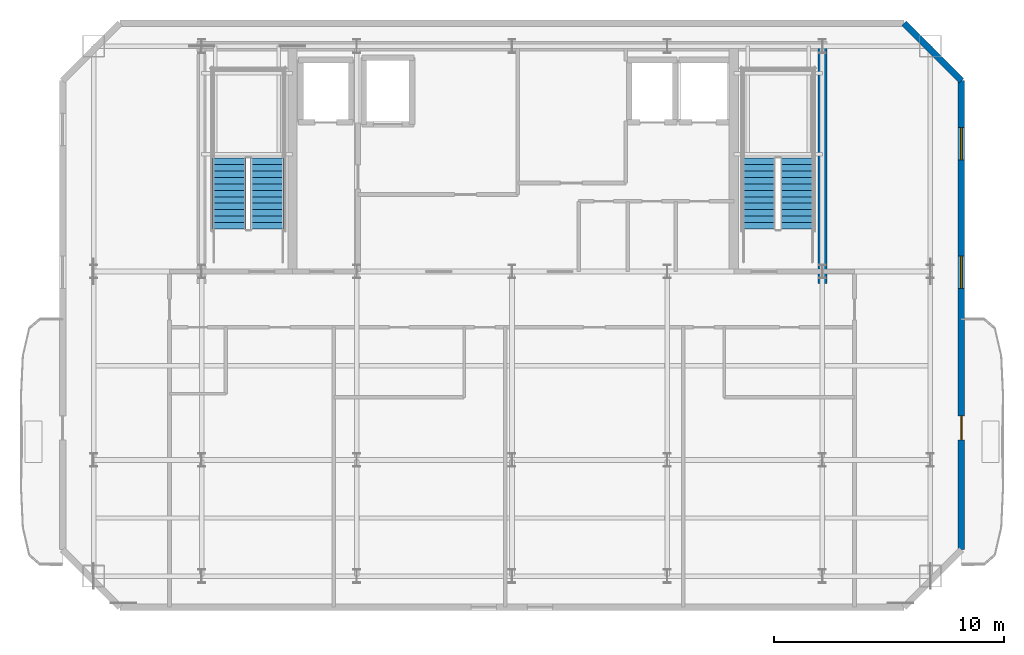
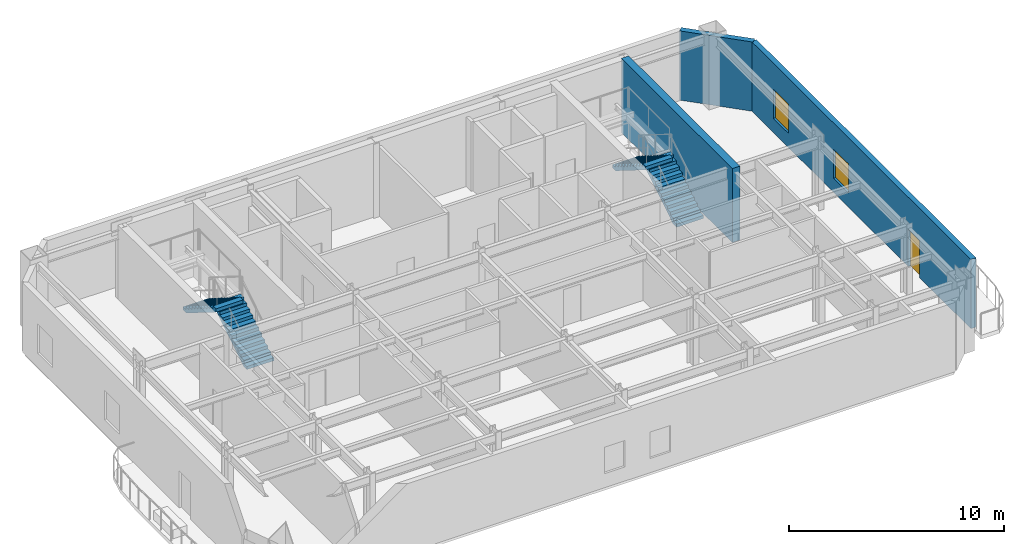
# One storey, part 4 of 6: 4 stair flights, 3 walls, 2 windows, 1 door, 3 openings, 2 elements without a shape of their own.
"""IFC4 building model written with IfcOpenShell, lengths in metres."""

from ifc_helpers import new_model, si_unit, direction, frame, frame_2d, origin, place, context, subcontext, project, spatial, polyline, rectangle, outline, extrude, material, layer, layer_set, type_object, element, fill, aggregate, save


model = new_model("IFC4")

# Units and contexts
model_context = context("Model", 3, precision=1e-05, world=origin(), true_north=direction((0.0, 1.0)))
body_context = subcontext(model_context, "Body", "Model", "MODEL_VIEW")
ifc_project = project(units=[si_unit("LENGTHUNIT", "METRE"), si_unit("AREAUNIT", "SQUARE_METRE"), si_unit("VOLUMEUNIT", "CUBIC_METRE"), si_unit("PLANEANGLEUNIT", "RADIAN"), si_unit("MASSUNIT", "GRAM", prefix="KILO")], contexts=[model_context])

# Site, building, storey
site_placement = place(None, origin())
site = spatial("IfcSite", under=ifc_project, at=site_placement, CompositionType="ELEMENT")
building_placement = place(site_placement, origin())
building = spatial("IfcBuilding", under=site, at=building_placement, Name="Haevon Station Towers", CompositionType="ELEMENT")
storey_placement = place(building_placement, frame((0.0, 0.0, 265.800048828125)))
storey = spatial("IfcBuildingStorey", under=building, at=storey_placement, Name="L74", CompositionType="ELEMENT", Elevation=265.800048828125)

# Walls
ifc_material_1 = material(Name="Concrete C60/75", Category="concrete")
ifc_layer_1 = layer(ifc_material_1, 0.39990234375)
ifc_layer_set_1 = layer_set([ifc_layer_1], Name="Concrete C60/75")
wall_type_1 = type_object("IfcWallType", Name="WL-CR400", PredefinedType="SHEAR", material=ifc_layer_set_1)
wall_1_placement = place(storey_placement, frame((51.0, 37.679931640625, 0.0), z_axis=(0.0, 0.0, 1.0), x_axis=(0.0, 1.0, 0.0)))
element("IfcWall", 1, at=wall_1_placement, inside=storey, type_object=wall_type_1, Name="WL-T1CR-L74-E", PredefinedType="SHEAR", context=body_context, shape_type="SweptSolid", body=[
    extrude(rectangle(XDim=10.320068359375, YDim=0.39990234375, at=frame_2d((5.16015625, 0.0))), origin(), (0.0, 0.0, 1.0), 4.199951171875),
])
ifc_material_2 = material(Name="Precast concrete C45/55", Category="concrete")
ifc_layer_2 = layer(ifc_material_2, 0.280029296875)
ifc_layer_set_2 = layer_set([ifc_layer_2], Name="Precast concrete C45/55")
wall_type_2 = type_object("IfcWallType", Name="WL-EXT-PIER280", PredefinedType="SOLIDWALL", material=ifc_layer_set_2)
wall_2_placement = place(storey_placement, frame((54.550048828125, 49.0, 0.0), z_axis=(0.0, 0.0, 1.0), x_axis=(0.707106781187, -0.707106781187, 0.0)))
element("IfcWall", 2, at=wall_2_placement, inside=storey, type_object=wall_type_2, Name="WL-T1-L74-NEC", PredefinedType="SOLIDWALL", context=body_context, shape_type="SweptSolid", body=[
    extrude(rectangle(XDim=3.53564453125, YDim=0.280029296875, at=frame_2d((1.767822265625, 0.0))), origin(), (0.0, 0.0, 1.0), 3.929931640625),
])

# Wall, openings, door, windows
wall_3_placement = place(storey_placement, frame((57.050048828125, 46.5, 0.0), z_axis=(0.0, 0.0, 1.0), x_axis=(0.0, -1.0, 0.0)))
wall_3 = element("IfcWall", 3, at=wall_3_placement, inside=storey, type_object=wall_type_2, Name="WL-T1-L74-E", PredefinedType="SOLIDWALL", context=body_context, shape_type="SweptSolid", body=[
    extrude(rectangle(XDim=20.39990234375, YDim=0.280029296875, at=frame_2d((10.199951171875, 0.0))), origin(), (0.0, 0.0, 1.0), 3.929931640625),
])
opening_1_placement = place(wall_3_placement, frame((14.574951171875, 0.0, 0.0)))
opening_1 = element("IfcOpeningElement", 4, at=opening_1_placement, cuts=wall_3, Name="Opening DR-T1-SCAL-L74-E", PredefinedType="OPENING", context=body_context, shape_type="SweptSolid", body=[
    extrude(rectangle(XDim=1.050048828125, YDim=2.10009765625, at=frame_2d((0.52490234375, 1.050048828125))), frame((0.0, 0.14990234375, 0.0), z_axis=(0.0, -1.0, 0.0), x_axis=(1.0, 0.0, 0.0)), (0.0, 0.0, 1.0), 0.300048828125),
])
opening_2_placement = place(wall_3_placement, frame((2.04296875, 0.0, 0.800048828125)))
opening_2 = element("IfcOpeningElement", 5, at=opening_2_placement, cuts=wall_3, Name="Opening WN-END140", PredefinedType="OPENING", context=body_context, shape_type="SweptSolid", body=[
    extrude(rectangle(XDim=1.39990234375, YDim=1.64990234375, at=frame_2d((0.699951171875, 0.824951171875))), frame((0.0, 0.14990234375, 0.0), z_axis=(0.0, -1.0, 0.0), x_axis=(1.0, 0.0, 0.0)), (0.0, 0.0, 1.0), 0.300048828125),
])
opening_3_placement = place(wall_3_placement, frame((7.6357421875, 0.0, 0.800048828125)))
opening_3 = element("IfcOpeningElement", 6, at=opening_3_placement, cuts=wall_3, Name="Opening WN-END140", PredefinedType="OPENING", context=body_context, shape_type="SweptSolid", body=[
    extrude(rectangle(XDim=1.39990234375, YDim=1.64990234375, at=frame_2d((0.699951171875, 0.824951171875))), frame((0.0, 0.14990234375, 0.0), z_axis=(0.0, -1.0, 0.0), x_axis=(1.0, 0.0, 0.0)), (0.0, 0.0, 1.0), 0.300048828125),
])
ifc_material_3 = material(Name="Thermally broken anodised aluminium and laminated safety glass", Category="aluminium")
door_type = type_object("IfcDoorType", Name="DR-BALC-1050", OperationType="NOTDEFINED", PredefinedType="DOOR", material=ifc_material_3)
door_placement = place(opening_1_placement, origin())
door = element("IfcDoor", 7, at=door_placement, inside=storey, type_object=door_type, Name="Tower 1 L74 East Scalloped Balcony Door", OperationType="SINGLE_SWING_RIGHT", OverallHeight=2.10009765625, OverallWidth=1.050048828125, PredefinedType="DOOR", context=body_context, shape_type="SweptSolid", body=[
    extrude(rectangle(XDim=1.050048828125, YDim=2.10009765625, at=frame_2d((0.52490234375, 1.050048828125))), frame((0.0, 0.02490234375, 0.0), z_axis=(0.0, -1.0, 0.0), x_axis=(1.0, 0.0, 0.0)), (0.0, 0.0, 1.0), 0.050048828125),
])
fill(opening_1, door)
ifc_material_4 = material(Name="Low-E triple glazing in thermally broken aluminium", Category="aluminium")
window_type = type_object("IfcWindowType", Name="WN-END140", PartitioningType="SINGLE_PANEL", PredefinedType="WINDOW", material=ifc_material_4)
window_1_placement = place(opening_2_placement, origin())
window_1 = element("IfcWindow", 8, at=window_1_placement, inside=storey, type_object=window_type, Name="WN-T1-L74-E01", OverallHeight=1.64990234375, OverallWidth=1.39990234375, PartitioningType="SINGLE_PANEL", PredefinedType="WINDOW", context=body_context, shape_type="SweptSolid", body=[
    extrude(rectangle(XDim=1.39990234375, YDim=1.64990234375, at=frame_2d((0.699951171875, 0.824951171875))), frame((0.0, 0.030029296875, 0.0), z_axis=(0.0, -1.0, 0.0), x_axis=(1.0, 0.0, 0.0)), (0.0, 0.0, 1.0), 0.06005859375),
])
fill(opening_2, window_1)
window_2_placement = place(opening_3_placement, origin())
window_2 = element("IfcWindow", 9, at=window_2_placement, inside=storey, type_object=window_type, Name="WN-T1-L74-E02", OverallHeight=1.64990234375, OverallWidth=1.39990234375, PartitioningType="SINGLE_PANEL", PredefinedType="WINDOW", context=body_context, shape_type="SweptSolid", body=[
    extrude(rectangle(XDim=1.39990234375, YDim=1.64990234375, at=frame_2d((0.699951171875, 0.824951171875))), frame((0.0, 0.030029296875, 0.0), z_axis=(0.0, -1.0, 0.0), x_axis=(1.0, 0.0, 0.0)), (0.0, 0.0, 1.0), 0.06005859375),
])
fill(opening_3, window_2)

# Stair, stair flights
ifc_material_5 = material(Name="Concrete C40/50", Category="concrete")
stair_type = type_object("IfcStairType", Name="STR-DL1450", PredefinedType="USERDEFINED", material=ifc_material_5)
stair_1_placement = place(storey_placement, origin())
stair_1 = element("IfcStair", 10, at=stair_1_placement, inside=storey, type_object=stair_type, Name="L74 Escape Stair ST1", ObjectType="TWO_RETURN_STAIR", PredefinedType="USERDEFINED")
stair_flight_type = type_object("IfcStairFlightType", Name="STF-ST1450", PredefinedType="STRAIGHT", material=ifc_material_5)
stair_flight_1_placement = place(storey_placement, frame((26.85498046875, 40.050048828125, 0.0), z_axis=(0.0, 0.0, 1.0), x_axis=(0.0, 1.0, 0.0)))
stair_flight_1 = element("IfcStairFlight", 11, at=stair_flight_1_placement, type_object=stair_flight_type, Name="L74 ST1 Flight 1", NumberOfRisers=12, NumberOfTreads=11, PredefinedType="STRAIGHT", RiserHeight=0.175, TreadLength=0.28, context=body_context, shape_type="SweptSolid", body=[
    extrude(outline(polyline([(0.0, 0.0), (0.0, 0.175048828125), (0.280029296875, 0.175048828125), (0.280029296875, 0.35009765625), (0.56005859375, 0.35009765625), (0.56005859375, 0.52490234375), (0.840087890625, 0.52490234375), (0.840087890625, 0.699951171875), (1.1201171875, 0.699951171875), (1.1201171875, 0.875), (1.39990234375, 0.875), (1.39990234375, 1.050048828125), (1.679931640625, 1.050048828125), (1.679931640625, 1.22509765625), (1.9599609375, 1.22509765625), (1.9599609375, 1.39990234375), (2.239990234375, 1.39990234375), (2.239990234375, 1.574951171875), (2.52001953125, 1.574951171875), (2.52001953125, 1.75), (2.800048828125, 1.75), (2.800048828125, 1.925048828125), (3.080078125, 1.925048828125), (3.080078125, 2.10009765625), (3.080078125, 1.736328125), (0.3017578125, 0.0), (0.0, 0.0)])), frame((0.0, 0.72509765625, 0.0), z_axis=(0.0, -1.0, 0.0), x_axis=(1.0, 0.0, 0.0)), (0.0, 0.0, 1.0), 1.449951171875),
])
stair_flight_2_placement = place(storey_placement, frame((25.205078125, 43.1298828125, 2.099853515625), z_axis=(0.0, 0.0, 1.0), x_axis=(0.0, -1.0, 0.0)))
stair_flight_2 = element("IfcStairFlight", 12, at=stair_flight_2_placement, type_object=stair_flight_type, Name="L74 ST1 Flight 2", NumberOfRisers=12, NumberOfTreads=11, PredefinedType="STRAIGHT", RiserHeight=0.175, TreadLength=0.28, context=body_context, shape_type="SweptSolid", body=[
    extrude(outline(polyline([(0.0, 0.0), (0.0, 0.175048828125), (0.280029296875, 0.175048828125), (0.280029296875, 0.35009765625), (0.56005859375, 0.35009765625), (0.56005859375, 0.52490234375), (0.840087890625, 0.52490234375), (0.840087890625, 0.699951171875), (1.1201171875, 0.699951171875), (1.1201171875, 0.875), (1.39990234375, 0.875), (1.39990234375, 1.050048828125), (1.679931640625, 1.050048828125), (1.679931640625, 1.22509765625), (1.9599609375, 1.22509765625), (1.9599609375, 1.39990234375), (2.239990234375, 1.39990234375), (2.239990234375, 1.574951171875), (2.52001953125, 1.574951171875), (2.52001953125, 1.75), (2.800048828125, 1.75), (2.800048828125, 1.925048828125), (3.080078125, 1.925048828125), (3.080078125, 2.10009765625), (3.080078125, 1.736328125), (0.3017578125, 0.0), (0.0, 0.0)])), frame((0.0, 0.72509765625, 0.0), z_axis=(0.0, -1.0, 0.0), x_axis=(1.0, 0.0, 0.0)), (0.0, 0.0, 1.0), 1.449951171875),
])
aggregate(stair_1, [stair_flight_1, stair_flight_2])

stair_2_placement = place(storey_placement, origin())
stair_2 = element("IfcStair", 13, at=stair_2_placement, inside=storey, type_object=stair_type, Name="L74 Escape Stair ST2", ObjectType="TWO_RETURN_STAIR", PredefinedType="USERDEFINED")
stair_flight_3_placement = place(storey_placement, frame((49.89501953125, 40.050048828125, 0.0), z_axis=(0.0, 0.0, 1.0), x_axis=(0.0, 1.0, 0.0)))
stair_flight_3 = element("IfcStairFlight", 14, at=stair_flight_3_placement, type_object=stair_flight_type, Name="L74 ST2 Flight 1", NumberOfRisers=12, NumberOfTreads=11, PredefinedType="STRAIGHT", RiserHeight=0.175, TreadLength=0.28, context=body_context, shape_type="SweptSolid", body=[
    extrude(outline(polyline([(0.0, 0.0), (0.0, 0.175048828125), (0.280029296875, 0.175048828125), (0.280029296875, 0.35009765625), (0.56005859375, 0.35009765625), (0.56005859375, 0.52490234375), (0.840087890625, 0.52490234375), (0.840087890625, 0.699951171875), (1.1201171875, 0.699951171875), (1.1201171875, 0.875), (1.39990234375, 0.875), (1.39990234375, 1.050048828125), (1.679931640625, 1.050048828125), (1.679931640625, 1.22509765625), (1.9599609375, 1.22509765625), (1.9599609375, 1.39990234375), (2.239990234375, 1.39990234375), (2.239990234375, 1.574951171875), (2.52001953125, 1.574951171875), (2.52001953125, 1.75), (2.800048828125, 1.75), (2.800048828125, 1.925048828125), (3.080078125, 1.925048828125), (3.080078125, 2.10009765625), (3.080078125, 1.736328125), (0.3017578125, 0.0), (0.0, 0.0)])), frame((0.0, 0.72509765625, 0.0), z_axis=(0.0, -1.0, 0.0), x_axis=(1.0, 0.0, 0.0)), (0.0, 0.0, 1.0), 1.449951171875),
])
stair_flight_4_placement = place(storey_placement, frame((48.2451171875, 43.1298828125, 2.099853515625), z_axis=(0.0, 0.0, 1.0), x_axis=(0.0, -1.0, 0.0)))
stair_flight_4 = element("IfcStairFlight", 15, at=stair_flight_4_placement, type_object=stair_flight_type, Name="L74 ST2 Flight 2", NumberOfRisers=12, NumberOfTreads=11, PredefinedType="STRAIGHT", RiserHeight=0.175, TreadLength=0.28, context=body_context, shape_type="SweptSolid", body=[
    extrude(outline(polyline([(0.0, 0.0), (0.0, 0.175048828125), (0.280029296875, 0.175048828125), (0.280029296875, 0.35009765625), (0.56005859375, 0.35009765625), (0.56005859375, 0.52490234375), (0.840087890625, 0.52490234375), (0.840087890625, 0.699951171875), (1.1201171875, 0.699951171875), (1.1201171875, 0.875), (1.39990234375, 0.875), (1.39990234375, 1.050048828125), (1.679931640625, 1.050048828125), (1.679931640625, 1.22509765625), (1.9599609375, 1.22509765625), (1.9599609375, 1.39990234375), (2.239990234375, 1.39990234375), (2.239990234375, 1.574951171875), (2.52001953125, 1.574951171875), (2.52001953125, 1.75), (2.800048828125, 1.75), (2.800048828125, 1.925048828125), (3.080078125, 1.925048828125), (3.080078125, 2.10009765625), (3.080078125, 1.736328125), (0.3017578125, 0.0), (0.0, 0.0)])), frame((0.0, 0.72509765625, 0.0), z_axis=(0.0, -1.0, 0.0), x_axis=(1.0, 0.0, 0.0)), (0.0, 0.0, 1.0), 1.449951171875),
])
aggregate(stair_2, [stair_flight_3, stair_flight_4])

save(model, "model.ifc")
